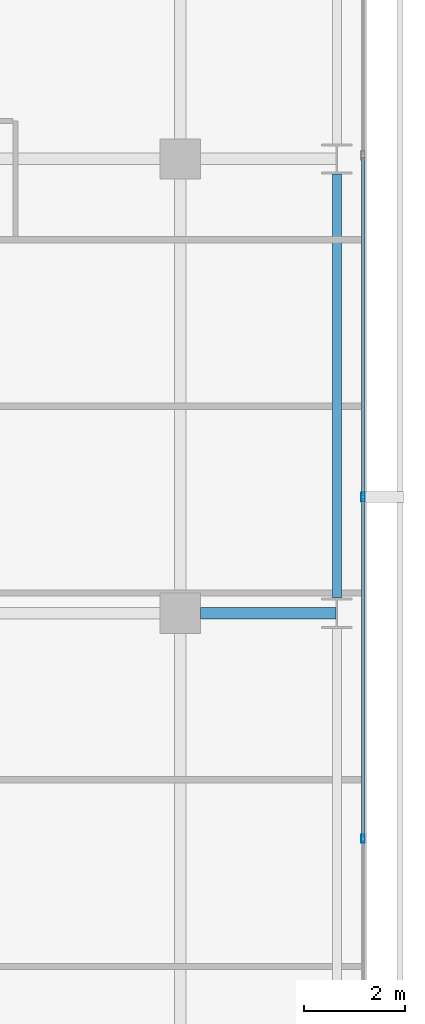
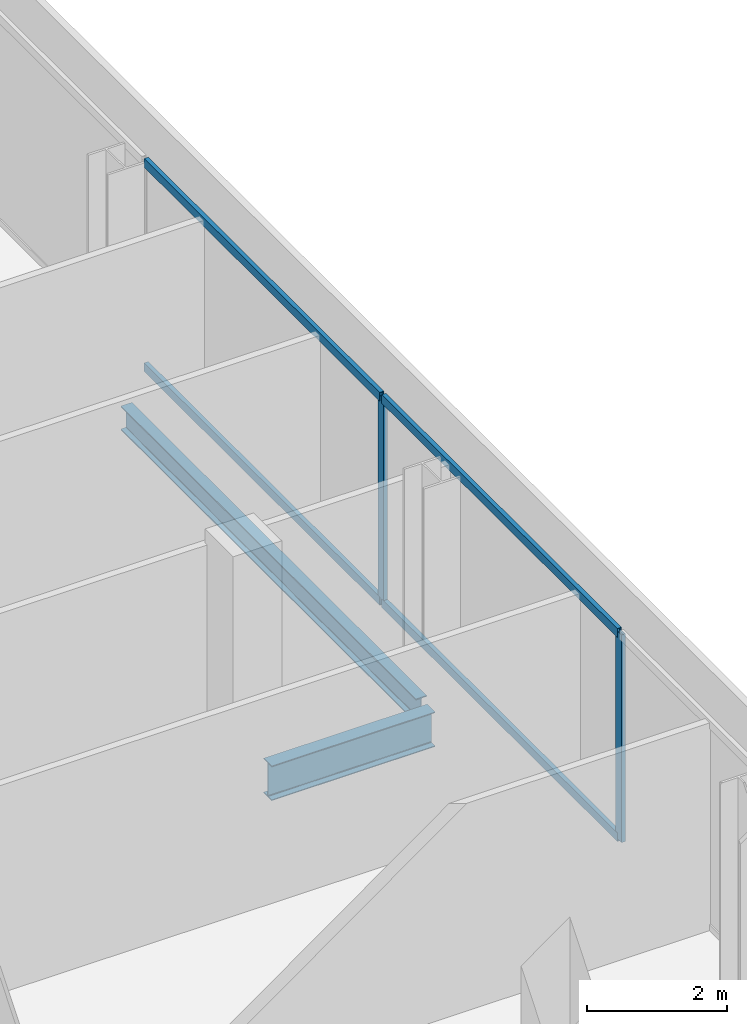
# One storey, part 17 of 34: 6 members, 2 beams, 1 element without a shape of its own.
"""IFC4 building model written with IfcOpenShell, lengths in metres."""

from ifc_helpers import new_model, si_unit, direction, frame, origin, origin_2d, place, context, subcontext, project, spatial, hollow_rectangle, i_section, extrude, material, layer, layer_set, material_profile, profile_set, type_object, element, aggregate, save


model = new_model("IFC4")

# Units and contexts
model_context = context("Model", 3, precision=1e-05, world=origin(), true_north=direction((0.0, 1.0)))
body_context = subcontext(model_context, "Body", "Model", "MODEL_VIEW")
ifc_project = project(units=[si_unit("LENGTHUNIT", "METRE"), si_unit("AREAUNIT", "SQUARE_METRE"), si_unit("VOLUMEUNIT", "CUBIC_METRE"), si_unit("PLANEANGLEUNIT", "RADIAN"), si_unit("MASSUNIT", "GRAM", prefix="KILO")], contexts=[model_context])

# Site, building, storey
site_placement = place(None, origin())
site = spatial("IfcSite", under=ifc_project, at=site_placement, CompositionType="ELEMENT")
building_placement = place(site_placement, origin())
building = spatial("IfcBuilding", under=site, at=building_placement, Name="Maruvema Waterfront Hotel and Observation Tower", CompositionType="ELEMENT")
storey_placement = place(building_placement, frame((0.0, 0.0, 185.14990234375)))
storey = spatial("IfcBuildingStorey", under=building, at=storey_placement, Name="L45", CompositionType="ELEMENT", Elevation=185.14990234375)

# Curtain wall, members
ifc_material_1 = material(Name="Anodised bronze aluminium and solar-control low-E IGU", Category="aluminium")
ifc_layer = layer(ifc_material_1, 0.159912109375, Name="Zone 2 Amber Inner Thermal Curtain Wall System CW-03")
ifc_layer_set = layer_set([ifc_layer], Name="Anodised bronze aluminium and solar-control low-E IGU")
curtain_wall_type = type_object("IfcCurtainWallType", Name="Zone 2 Amber Inner Thermal Curtain Wall System CW-03", PredefinedType="USERDEFINED", material=ifc_layer_set)
curtain_wall_placement = place(storey_placement, origin())
curtain_wall = element("IfcCurtainWall", 1, at=curtain_wall_placement, inside=storey, type_object=curtain_wall_type, Name="L45 Curtain Wall CW-L45-E", ObjectType="UNITISED CURTAIN WALL", PredefinedType="USERDEFINED")
ifc_material_2 = material(Name="Anodised architectural bronze aluminium", Category="aluminium")
ifc_material_profile_1 = material_profile(ifc_material_2, hollow_rectangle(XDim=0.070068359375, YDim=0.14990234375, WallThickness=0.00390625, at=origin_2d()), Name="ALU-T70x150")
ifc_profile_set_1 = profile_set([ifc_material_profile_1], Name="Anodised architectural bronze aluminium")
member_type_1 = type_object("IfcMemberType", Name="Curtain Wall Horizontal Transom ALU-T70x150", PredefinedType="USERDEFINED", material=ifc_profile_set_1)
member_1_placement = place(storey_placement, frame((62.419921875, 22.563232421875, 0.030029296875), z_axis=(0.0, 1.0, 0.0), x_axis=(-1.0, 0.0, 0.0)))
member_1 = element("IfcMember", 2, at=member_1_placement, type_object=member_type_1, Name="CW-03 transom 3.1", ObjectType="TRANSOM", PredefinedType="USERDEFINED", context=body_context, shape_type="SweptSolid", body=[
    extrude(hollow_rectangle(XDim=0.070068359375, YDim=0.14990234375, WallThickness=0.00390625, at=origin_2d()), origin(), (0.0, 0.0, 1.0), 6.706787109375),
])
member_2_placement = place(storey_placement, frame((62.419921875, 22.563232421875, 3.580078125), z_axis=(0.0, 1.0, 0.0), x_axis=(-1.0, 0.0, 0.0)))
member_2 = element("IfcMember", 3, at=member_2_placement, type_object=member_type_1, Name="CW-03 transom 3.2", ObjectType="TRANSOM", PredefinedType="USERDEFINED", context=body_context, shape_type="SweptSolid", body=[
    extrude(hollow_rectangle(XDim=0.070068359375, YDim=0.14990234375, WallThickness=0.00390625, at=origin_2d()), origin(), (0.0, 0.0, 1.0), 6.706787109375),
])
member_3_placement = place(storey_placement, frame((62.419921875, 29.330078125, 0.030029296875), z_axis=(0.0, 1.0, 0.0), x_axis=(-1.0, 0.0, 0.0)))
member_3 = element("IfcMember", 4, at=member_3_placement, type_object=member_type_1, Name="CW-03 transom 4.1", ObjectType="TRANSOM", PredefinedType="USERDEFINED", context=body_context, shape_type="SweptSolid", body=[
    extrude(hollow_rectangle(XDim=0.070068359375, YDim=0.14990234375, WallThickness=0.00390625, at=origin_2d()), origin(), (0.0, 0.0, 1.0), 6.70654296875),
])
member_4_placement = place(storey_placement, frame((62.419921875, 29.330078125, 3.580078125), z_axis=(0.0, 1.0, 0.0), x_axis=(-1.0, 0.0, 0.0)))
member_4 = element("IfcMember", 5, at=member_4_placement, type_object=member_type_1, Name="CW-03 transom 4.2", ObjectType="TRANSOM", PredefinedType="USERDEFINED", context=body_context, shape_type="SweptSolid", body=[
    extrude(hollow_rectangle(XDim=0.070068359375, YDim=0.14990234375, WallThickness=0.00390625, at=origin_2d()), origin(), (0.0, 0.0, 1.0), 6.70654296875),
])
ifc_material_3 = material(Name="Anodised architectural bronze aluminium", Category="aluminium")
ifc_material_profile_2 = material_profile(ifc_material_3, hollow_rectangle(XDim=0.06494140625, YDim=0.1650390625, WallThickness=0.00390625, at=origin_2d()), Name="ALU-M65x165")
ifc_profile_set_2 = profile_set([ifc_material_profile_2], Name="Anodised architectural bronze aluminium")
member_type_2 = type_object("IfcMemberType", Name="Curtain Wall Primary Mullion ALU-M65x165", PredefinedType="MULLION", material=ifc_profile_set_2)
member_5_placement = place(storey_placement, frame((62.419921875, 22.533447265625, 0.0), z_axis=(0.0, 0.0, 1.0), x_axis=(-1.0, 0.0, 0.0)))
member_5 = element("IfcMember", 6, at=member_5_placement, type_object=member_type_2, Name="CW-03 mullion 3", PredefinedType="MULLION", context=body_context, shape_type="SweptSolid", body=[
    extrude(hollow_rectangle(XDim=0.06494140625, YDim=0.1650390625, WallThickness=0.00390625, at=origin_2d()), origin(), (0.0, 0.0, 1.0), 3.610107421875),
])
member_6_placement = place(storey_placement, frame((62.419921875, 29.300048828125, 0.0), z_axis=(0.0, 0.0, 1.0), x_axis=(-1.0, 0.0, 0.0)))
member_6 = element("IfcMember", 7, at=member_6_placement, type_object=member_type_2, Name="CW-03 mullion 4", PredefinedType="MULLION", context=body_context, shape_type="SweptSolid", body=[
    extrude(hollow_rectangle(XDim=0.06494140625, YDim=0.1650390625, WallThickness=0.00390625, at=origin_2d()), origin(), (0.0, 0.0, 1.0), 3.610107421875),
])
aggregate(curtain_wall, [member_5, member_6, member_1, member_2, member_3, member_4])

# Beams
ifc_material_4 = material(Name="Steel ASTM A572 Grade 50", Category="steel")
ifc_material_profile_3 = material_profile(ifc_material_4, i_section(OverallWidth=0.180908203125, OverallDepth=0.4169921875, WebThickness=0.010986328125, FlangeThickness=0.018310546875, FilletRadius=0.014892578125, at=origin_2d()), Name="W410x85.0")
ifc_profile_set_3 = profile_set([ifc_material_profile_3], Name="Steel ASTM A572 Grade 50")
beam_type_1 = type_object("IfcBeamType", Name="Perimeter Spandrel Beam W410x85.0", PredefinedType="SPANDREL", material=ifc_profile_set_3)
beam_1_placement = place(storey_placement, frame((61.89990234375, 27.300048828125, -0.448486328125), z_axis=(0.0, 1.0, 0.0), x_axis=(-1.0, 0.0, 0.0)))
element("IfcBeam", 8, at=beam_1_placement, inside=storey, type_object=beam_type_1, Name="L45 Floor Girder NS-31", PredefinedType="SPANDREL", context=body_context, shape_type="SweptSolid", body=[
    extrude(i_section(OverallWidth=0.180908203125, OverallDepth=0.4169921875, WebThickness=0.010986328125, FlangeThickness=0.018310546875, FilletRadius=0.014892578125, at=origin_2d()), origin(), (0.0, 0.0, 1.0), 8.39990234375),
])
ifc_material_5 = material(Name="Steel ASTM A572 Grade 50", Category="steel")
ifc_material_profile_4 = material_profile(ifc_material_5, i_section(OverallWidth=0.22802734375, OverallDepth=0.60302734375, WebThickness=0.010498046875, FlangeThickness=0.014892578125, FilletRadius=0.01806640625, at=origin_2d()), Name="W610x101.0")
ifc_profile_set_4 = profile_set([ifc_material_profile_4], Name="Steel ASTM A572 Grade 50")
beam_type_2 = type_object("IfcBeamType", Name="Primary Floor Girder W610x101.0", PredefinedType="BEAM", material=ifc_profile_set_4)
beam_2_placement = place(storey_placement, frame((59.199951171875, 27.0, -0.54150390625), z_axis=(1.0, 0.0, 0.0), x_axis=(0.0, 1.0, 0.0)))
element("IfcBeam", 9, at=beam_2_placement, inside=storey, type_object=beam_type_2, Name="L45 Floor Girder EW-22", PredefinedType="BEAM", context=body_context, shape_type="SweptSolid", body=[
    extrude(i_section(OverallWidth=0.22802734375, OverallDepth=0.60302734375, WebThickness=0.010498046875, FlangeThickness=0.014892578125, FilletRadius=0.01806640625, at=origin_2d()), origin(), (0.0, 0.0, 1.0), 2.6875),
])

save(model, "model.ifc")
